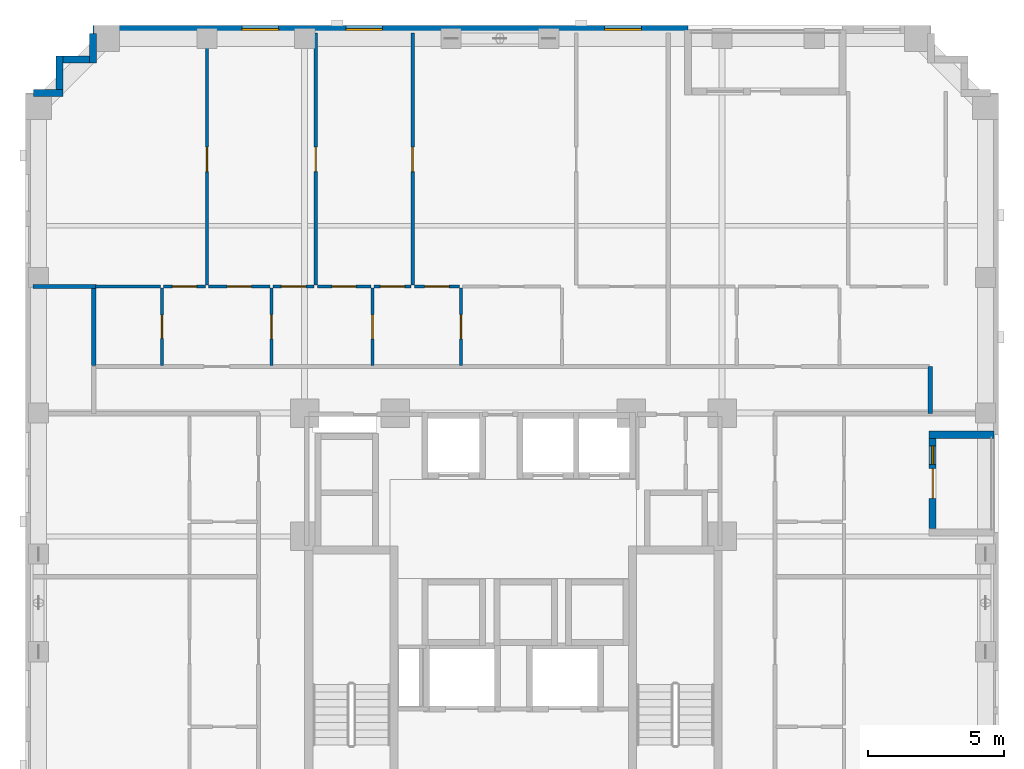
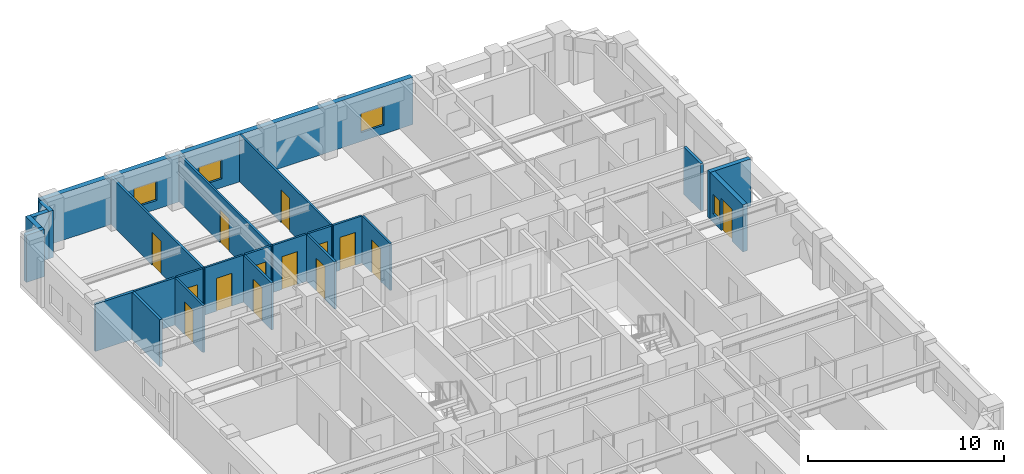
# One storey, part 7 of 12: 24 walls, 14 doors, 4 windows, 18 openings.
"""IFC4 building model written with IfcOpenShell, lengths in metres."""

from ifc_helpers import new_model, si_unit, derived_unit, direction, frame, frame_2d, origin, place, context, subcontext, project, spatial, rectangle, extrude, material, layer, layer_set, type_object, element, fill, save


model = new_model("IFC4")

# Units and contexts
model_context = context("Model", 3, precision=1e-05, world=origin(), true_north=direction((0.0, 1.0)))
body_context = subcontext(model_context, "Body", "Model", "MODEL_VIEW")
ifc_project = project(units=[si_unit("LENGTHUNIT", "METRE"), si_unit("AREAUNIT", "SQUARE_METRE"), si_unit("VOLUMEUNIT", "CUBIC_METRE"), si_unit("PLANEANGLEUNIT", "RADIAN"), si_unit("MASSUNIT", "GRAM", prefix="KILO"), derived_unit("THERMALTRANSMITTANCEUNIT", [(si_unit("MASSUNIT", "GRAM", prefix="KILO"), 1), (si_unit("TIMEUNIT", "SECOND"), -3), (si_unit("THERMODYNAMICTEMPERATUREUNIT", "KELVIN"), -1)])], contexts=[model_context])

# Site, building, storey
site_placement = place(None, origin())
site = spatial("IfcSite", under=ifc_project, at=site_placement, CompositionType="ELEMENT")
building_placement = place(site_placement, origin())
building = spatial("IfcBuilding", under=site, at=building_placement, Name="Korrvale Station Residences", CompositionType="ELEMENT")
storey_placement = place(building_placement, frame((0.0, 0.0, 113.5)))
storey = spatial("IfcBuildingStorey", under=building, at=storey_placement, Name="L32", CompositionType="ELEMENT", Elevation=113.5)

# Wall
ifc_material_1 = material(Name="Precast concrete C45/55", Category="concrete")
ifc_layer_1 = layer(ifc_material_1, 0.260009765625, Name="Precast concrete C45/55")
ifc_layer_set_1 = layer_set([ifc_layer_1], Name="Precast concrete C45/55")
wall_type_1 = type_object("IfcWallType", Name="WAL-EXT-LOG260", PredefinedType="SOLIDWALL", material=ifc_layer_set_1)
wall_1_placement = place(storey_placement, frame((43.239990234375, 28.199951171875, 0.0), z_axis=(0.0, 0.0, 1.0), x_axis=(-1.0, 0.0, 0.0)))
element("IfcWall", 1, at=wall_1_placement, inside=storey, type_object=wall_type_1, Name="L32 Recessed Loggia Wall BAL-L32-E1-L", PredefinedType="SOLIDWALL", context=body_context, shape_type="SweptSolid", body=[
    extrude(rectangle(XDim=2.39990234375, YDim=0.260009765625, at=frame_2d((1.199951171875, 0.0))), origin(), (0.0, 0.0, 1.0), 2.93994140625),
])

# Wall, openings, door, window
wall_2_placement = place(storey_placement, frame((40.969970703125, 28.06591796875, 0.0), z_axis=(0.0, 0.0, 1.0), x_axis=(0.0, -1.0, 0.0)))
wall_2 = element("IfcWall", 2, at=wall_2_placement, inside=storey, type_object=wall_type_1, Name="L32 Recessed Loggia Wall BAL-L32-E1-B", PredefinedType="SOLIDWALL", context=body_context, shape_type="SweptSolid", body=[
    extrude(rectangle(XDim=3.33203125, YDim=0.260009765625, at=frame_2d((1.666015625, 0.0))), origin(), (0.0, 0.0, 1.0), 2.93994140625),
])
opening_1_placement = place(wall_2_placement, frame((1.115966796875, 0.0, 0.0)))
opening_1 = element("IfcOpeningElement", 3, at=opening_1_placement, cuts=wall_2, Name="Opening BD-01", PredefinedType="OPENING", context=body_context, shape_type="SweptSolid", body=[
    extrude(rectangle(XDim=1.10009765625, YDim=2.0, at=frame_2d((0.550048828125, 1.0))), frame((0.0, 0.14013671875, 0.0), z_axis=(0.0, -1.0, 0.0), x_axis=(1.0, 0.0, 0.0)), (0.0, 0.0, 1.0), 0.280029296875),
])
opening_2_placement = place(wall_2_placement, frame((0.27587890625, 0.0, 0.550048828125)))
opening_2 = element("IfcOpeningElement", 4, at=opening_2_placement, cuts=wall_2, Name="Opening W-12", PredefinedType="OPENING", context=body_context, shape_type="SweptSolid", body=[
    extrude(rectangle(XDim=0.679931640625, YDim=1.199951171875, at=frame_2d((0.33984375, 0.60009765625))), frame((0.0, 0.14013671875, 0.0), z_axis=(0.0, -1.0, 0.0), x_axis=(1.0, 0.0, 0.0)), (0.0, 0.0, 1.0), 0.280029296875),
])
ifc_material_2 = material(Name="Exterior thermally broken aluminium glazed balcony door", Category="aluminium")
door_type_1 = type_object("IfcDoorType", Name="DR-EXT-BAL", OperationType="NOTDEFINED", PredefinedType="DOOR", material=ifc_material_2)
door_1_placement = place(opening_1_placement, origin())
door_1 = element("IfcDoor", 5, at=door_1_placement, inside=storey, type_object=door_type_1, Name="L32 Loggia Balcony Door BAL-L32-E1", OperationType="SINGLE_SWING_LEFT", OverallHeight=2.0, OverallWidth=1.10009765625, PredefinedType="DOOR", context=body_context, shape_type="SweptSolid", body=[
    extrude(rectangle(XDim=1.10009765625, YDim=2.0, at=frame_2d((0.550048828125, 1.0))), frame((0.0, 0.02490234375, 0.0), z_axis=(0.0, -1.0, 0.0), x_axis=(1.0, 0.0, 0.0)), (0.0, 0.0, 1.0), 0.050048828125),
])
fill(opening_1, door_1)
ifc_material_3 = material(Name="Thermally broken aluminium frame with triple low-e glazing", Category="aluminium")
window_type_1 = type_object("IfcWindowType", Name="WIN-W12", PartitioningType="SINGLE_PANEL", PredefinedType="WINDOW", material=ifc_material_3)
window_1_placement = place(opening_2_placement, origin())
window_1 = element("IfcWindow", 6, at=window_1_placement, inside=storey, type_object=window_type_1, Name="L32 Punched Window 25", OverallHeight=1.199951171875, OverallWidth=0.679931640625, PartitioningType="SINGLE_PANEL", PredefinedType="WINDOW", context=body_context, shape_type="SweptSolid", body=[
    extrude(rectangle(XDim=0.679931640625, YDim=1.199951171875, at=frame_2d((0.33984375, 0.60009765625))), frame((0.0, 0.030029296875, 0.0), z_axis=(0.0, -1.0, 0.0), x_axis=(1.0, 0.0, 0.0)), (0.0, 0.0, 1.0), 0.06005859375),
])
fill(opening_2, window_1)

# Walls
wall_3_placement = place(storey_placement, frame((7.802001953125, 40.800048828125, 0.0), z_axis=(0.0, 0.0, 1.0), x_axis=(1.0, 0.0, 0.0)))
element("IfcWall", 7, at=wall_3_placement, inside=storey, type_object=wall_type_1, Name="L32 Serrated Corner Precast Step NW-1", PredefinedType="SOLIDWALL", context=body_context, shape_type="SweptSolid", body=[
    extrude(rectangle(XDim=1.077880859375, YDim=0.260009765625, at=frame_2d((0.5390625, 0.0))), origin(), (0.0, 0.0, 1.0), 2.93994140625),
])
wall_4_placement = place(storey_placement, frame((8.75, 40.931884765625, 0.0), z_axis=(0.0, 0.0, 1.0), x_axis=(0.0, 1.0, 0.0)))
element("IfcWall", 8, at=wall_4_placement, inside=storey, type_object=wall_type_1, Name="L32 Serrated Corner Precast Step NW-2", PredefinedType="SOLIDWALL", context=body_context, shape_type="SweptSolid", body=[
    extrude(rectangle(XDim=1.248046875, YDim=0.260009765625, at=frame_2d((0.6240234375, 0.0))), origin(), (0.0, 0.0, 1.0), 2.93994140625),
])
wall_5_placement = place(storey_placement, frame((8.882080078125, 42.050048828125, 0.0), z_axis=(0.0, 0.0, 1.0), x_axis=(1.0, 0.0, 0.0)))
element("IfcWall", 9, at=wall_5_placement, inside=storey, type_object=wall_type_1, Name="L32 Serrated Corner Precast Step NW-3", PredefinedType="SOLIDWALL", context=body_context, shape_type="SweptSolid", body=[
    extrude(rectangle(XDim=0.98583984375, YDim=0.260009765625, at=frame_2d((0.492919921875, 0.0))), origin(), (0.0, 0.0, 1.0), 2.93994140625),
])
wall_6_placement = place(storey_placement, frame((10.0, 41.919921875, 0.0), z_axis=(0.0, 0.0, 1.0), x_axis=(0.0, 1.0, 0.0)))
element("IfcWall", 10, at=wall_6_placement, inside=storey, type_object=wall_type_1, Name="L32 Serrated Corner Precast Step NW-4", PredefinedType="SOLIDWALL", context=body_context, shape_type="SweptSolid", body=[
    extrude(rectangle(XDim=1.078125, YDim=0.260009765625, at=frame_2d((0.5390625, 0.0))), origin(), (0.0, 0.0, 1.0), 2.93994140625),
])

# Wall, openings, windows
ifc_layer_2 = layer(ifc_material_1, 0.300048828125, Name="Precast concrete C45/55")
ifc_layer_set_2 = layer_set([ifc_layer_2], Name="Precast concrete C45/55")
wall_type_2 = type_object("IfcWallType", Name="WAL-EXT-PC300", PredefinedType="SOLIDWALL", material=ifc_layer_set_2)
wall_7_placement = place(storey_placement, frame((10.0, 43.14990234375, 0.0), z_axis=(0.0, 0.0, 1.0), x_axis=(1.0, 0.0, 0.0)))
wall_7 = element("IfcWall", 11, at=wall_7_placement, inside=storey, type_object=wall_type_2, Name="L32 North Exterior Precast Wall 1", PredefinedType="SOLIDWALL", context=body_context, shape_type="SweptSolid", body=[
    extrude(rectangle(XDim=21.949951171875, YDim=0.300048828125, at=frame_2d((10.97509765625, 0.0))), origin(), (0.0, 0.0, 1.0), 2.93994140625),
])
opening_3_placement = place(wall_7_placement, frame((5.489013671875, 0.0, 0.550048828125)))
opening_3 = element("IfcOpeningElement", 12, at=opening_3_placement, cuts=wall_7, Name="Opening W-10", PredefinedType="OPENING", context=body_context, shape_type="SweptSolid", body=[
    extrude(rectangle(XDim=1.35009765625, YDim=1.199951171875, at=frame_2d((0.675048828125, 0.60009765625))), frame((0.0, 0.16015625, 0.0), z_axis=(0.0, -1.0, 0.0), x_axis=(1.0, 0.0, 0.0)), (0.0, 0.0, 1.0), 0.320068359375),
])
opening_4_placement = place(wall_7_placement, frame((9.322021484375, 0.0, 0.550048828125)))
opening_4 = element("IfcOpeningElement", 13, at=opening_4_placement, cuts=wall_7, Name="Opening W-10", PredefinedType="OPENING", context=body_context, shape_type="SweptSolid", body=[
    extrude(rectangle(XDim=1.35009765625, YDim=1.199951171875, at=frame_2d((0.675048828125, 0.60009765625))), frame((0.0, 0.16015625, 0.0), z_axis=(0.0, -1.0, 0.0), x_axis=(1.0, 0.0, 0.0)), (0.0, 0.0, 1.0), 0.320068359375),
])
opening_5_placement = place(wall_7_placement, frame((18.868896484375, 0.0, 0.550048828125)))
opening_5 = element("IfcOpeningElement", 14, at=opening_5_placement, cuts=wall_7, Name="Opening W-10", PredefinedType="OPENING", context=body_context, shape_type="SweptSolid", body=[
    extrude(rectangle(XDim=1.35009765625, YDim=1.199951171875, at=frame_2d((0.675048828125, 0.60009765625))), frame((0.0, 0.16015625, 0.0), z_axis=(0.0, -1.0, 0.0), x_axis=(1.0, 0.0, 0.0)), (0.0, 0.0, 1.0), 0.320068359375),
])
window_type_2 = type_object("IfcWindowType", Name="WIN-W10", PartitioningType="SINGLE_PANEL", PredefinedType="WINDOW", material=ifc_material_3)
window_2_placement = place(opening_3_placement, origin())
window_2 = element("IfcWindow", 15, at=window_2_placement, inside=storey, type_object=window_type_2, Name="L32 Punched Window 14", OverallHeight=1.199951171875, OverallWidth=1.35009765625, PartitioningType="SINGLE_PANEL", PredefinedType="WINDOW", context=body_context, shape_type="SweptSolid", body=[
    extrude(rectangle(XDim=1.35009765625, YDim=1.199951171875, at=frame_2d((0.675048828125, 0.60009765625))), frame((0.0, 0.030029296875, 0.0), z_axis=(0.0, -1.0, 0.0), x_axis=(1.0, 0.0, 0.0)), (0.0, 0.0, 1.0), 0.06005859375),
])
fill(opening_3, window_2)
window_3_placement = place(opening_4_placement, origin())
window_3 = element("IfcWindow", 16, at=window_3_placement, inside=storey, type_object=window_type_2, Name="L32 Punched Window 15", OverallHeight=1.199951171875, OverallWidth=1.35009765625, PartitioningType="SINGLE_PANEL", PredefinedType="WINDOW", context=body_context, shape_type="SweptSolid", body=[
    extrude(rectangle(XDim=1.35009765625, YDim=1.199951171875, at=frame_2d((0.675048828125, 0.60009765625))), frame((0.0, 0.030029296875, 0.0), z_axis=(0.0, -1.0, 0.0), x_axis=(1.0, 0.0, 0.0)), (0.0, 0.0, 1.0), 0.06005859375),
])
fill(opening_4, window_3)
window_4_placement = place(opening_5_placement, origin())
window_4 = element("IfcWindow", 17, at=window_4_placement, inside=storey, type_object=window_type_2, Name="L32 Punched Window 16", OverallHeight=1.199951171875, OverallWidth=1.35009765625, PartitioningType="SINGLE_PANEL", PredefinedType="WINDOW", context=body_context, shape_type="SweptSolid", body=[
    extrude(rectangle(XDim=1.35009765625, YDim=1.199951171875, at=frame_2d((0.675048828125, 0.60009765625))), frame((0.0, 0.030029296875, 0.0), z_axis=(0.0, -1.0, 0.0), x_axis=(1.0, 0.0, 0.0)), (0.0, 0.0, 1.0), 0.06005859375),
])
fill(opening_5, window_4)

# Wall, opening, door
ifc_material_4 = material(Name="Acoustic steel-stud gypsum board partition", Category="steel")
ifc_layer_3 = layer(ifc_material_4, 0.1201171875, Name="Acoustic steel-stud gypsum board partition")
ifc_layer_set_3 = layer_set([ifc_layer_3], Name="Acoustic steel-stud gypsum board partition")
wall_type_3 = type_object("IfcWallType", Name="WAL-PART-125", PredefinedType="PARTITIONING", material=ifc_layer_set_3)
wall_8_placement = place(storey_placement, frame((12.5400390625, 30.760009765625, 0.0), z_axis=(0.0, 0.0, 1.0), x_axis=(0.0, 1.0, 0.0)))
wall_8 = element("IfcWall", 18, at=wall_8_placement, inside=storey, type_object=wall_type_3, Name="L32 Suite Partition U03-V01", PredefinedType="PARTITIONING", context=body_context, shape_type="SweptSolid", body=[
    extrude(rectangle(XDim=2.85009765625, YDim=0.1201171875, at=frame_2d((1.425048828125, 0.0))), origin(), (0.0, 0.0, 1.0), 2.93994140625),
])
opening_6_placement = place(wall_8_placement, frame((0.9951171875, 0.0, 0.0)))
opening_6 = element("IfcOpeningElement", 19, at=opening_6_placement, cuts=wall_8, Name="Opening DB-860", PredefinedType="OPENING", context=body_context, shape_type="SweptSolid", body=[
    extrude(rectangle(XDim=0.860107421875, YDim=2.050048828125, at=frame_2d((0.43017578125, 1.02490234375))), frame((0.0, 0.070068359375, 0.0), z_axis=(0.0, -1.0, 0.0), x_axis=(1.0, 0.0, 0.0)), (0.0, 0.0, 1.0), 0.14013671875),
])
ifc_material_5 = material(Name="Moisture-resistant solid-core bathroom door", Category="timber")
door_type_2 = type_object("IfcDoorType", Name="DR-BATH-860", OperationType="NOTDEFINED", PredefinedType="DOOR", material=ifc_material_5)
door_2_placement = place(opening_6_placement, origin())
door_2 = element("IfcDoor", 20, at=door_2_placement, inside=storey, type_object=door_type_2, Name="L32 Apartment 1BR L32-U03 Bathroom Door", OperationType="SINGLE_SWING_LEFT", OverallHeight=2.050048828125, OverallWidth=0.860107421875, PredefinedType="DOOR", context=body_context, shape_type="SweptSolid", body=[
    extrude(rectangle(XDim=0.860107421875, YDim=2.050048828125, at=frame_2d((0.43017578125, 1.02490234375))), frame((0.0, 0.02490234375, 0.0), z_axis=(0.0, -1.0, 0.0), x_axis=(1.0, 0.0, 0.0)), (0.0, 0.0, 1.0), 0.050048828125),
])
fill(opening_6, door_2)

# Wall
wall_9_placement = place(storey_placement, frame((10.080078125, 33.669921875, 0.0), z_axis=(0.0, 0.0, 1.0), x_axis=(1.0, 0.0, 0.0)))
element("IfcWall", 21, at=wall_9_placement, inside=storey, type_object=wall_type_3, Name="L32 Suite Partition U03-H06", PredefinedType="PARTITIONING", context=body_context, shape_type="SweptSolid", body=[
    extrude(rectangle(XDim=2.39990234375, YDim=0.1201171875, at=frame_2d((1.199951171875, 0.0))), origin(), (0.0, 0.0, 1.0), 2.93994140625),
])

# Wall, opening, door
wall_10_placement = place(storey_placement, frame((16.580078125, 30.760009765625, 0.0), z_axis=(0.0, 0.0, 1.0), x_axis=(0.0, 1.0, 0.0)))
wall_10 = element("IfcWall", 22, at=wall_10_placement, inside=storey, type_object=wall_type_3, Name="L32 Suite Partition U03-V12", PredefinedType="PARTITIONING", context=body_context, shape_type="SweptSolid", body=[
    extrude(rectangle(XDim=2.85009765625, YDim=0.1201171875, at=frame_2d((1.425048828125, 0.0))), origin(), (0.0, 0.0, 1.0), 2.93994140625),
])
opening_7_placement = place(wall_10_placement, frame((0.97509765625, 0.0, 0.0)))
opening_7 = element("IfcOpeningElement", 23, at=opening_7_placement, cuts=wall_10, Name="Opening DI-900", PredefinedType="OPENING", context=body_context, shape_type="SweptSolid", body=[
    extrude(rectangle(XDim=0.89990234375, YDim=2.050048828125, at=frame_2d((0.449951171875, 1.02490234375))), frame((0.0, 0.070068359375, 0.0), z_axis=(0.0, -1.0, 0.0), x_axis=(1.0, 0.0, 0.0)), (0.0, 0.0, 1.0), 0.14013671875),
])
ifc_material_6 = material(Name="Painted solid-core timber interior room door", Category="wood")
door_type_3 = type_object("IfcDoorType", Name="DR-INT-900", OperationType="NOTDEFINED", PredefinedType="DOOR", material=ifc_material_6)
door_3_placement = place(opening_7_placement, origin())
door_3 = element("IfcDoor", 24, at=door_3_placement, inside=storey, type_object=door_type_3, Name="L32 Apartment 1BR L32-U03 Kitchen Door", OperationType="SINGLE_SWING_RIGHT", OverallHeight=2.050048828125, OverallWidth=0.89990234375, PredefinedType="DOOR", context=body_context, shape_type="SweptSolid", body=[
    extrude(rectangle(XDim=0.89990234375, YDim=2.050048828125, at=frame_2d((0.449951171875, 1.02490234375))), frame((0.0, 0.02490234375, 0.0), z_axis=(0.0, -1.0, 0.0), x_axis=(1.0, 0.0, 0.0)), (0.0, 0.0, 1.0), 0.050048828125),
])
fill(opening_7, door_3)

wall_11_placement = place(storey_placement, frame((12.60009765625, 33.669921875, 0.0), z_axis=(0.0, 0.0, 1.0), x_axis=(1.0, 0.0, 0.0)))
wall_11 = element("IfcWall", 25, at=wall_11_placement, inside=storey, type_object=wall_type_3, Name="L32 Suite Partition U03-H16", PredefinedType="PARTITIONING", context=body_context, shape_type="SweptSolid", body=[
    extrude(rectangle(XDim=1.539794921875, YDim=0.1201171875, at=frame_2d((0.77001953125, 0.0))), origin(), (0.0, 0.0, 1.0), 2.93994140625),
])
opening_8_placement = place(wall_11_placement, frame((0.320068359375, 0.0, 0.0)))
opening_8 = element("IfcOpeningElement", 26, at=opening_8_placement, cuts=wall_11, Name="Opening DI-900", PredefinedType="OPENING", context=body_context, shape_type="SweptSolid", body=[
    extrude(rectangle(XDim=0.89990234375, YDim=2.050048828125, at=frame_2d((0.449951171875, 1.02490234375))), frame((0.0, 0.070068359375, 0.0), z_axis=(0.0, -1.0, 0.0), x_axis=(1.0, 0.0, 0.0)), (0.0, 0.0, 1.0), 0.14013671875),
])
door_4_placement = place(opening_8_placement, origin())
door_4 = element("IfcDoor", 27, at=door_4_placement, inside=storey, type_object=door_type_3, Name="L32 Apartment 1BR L32-U03 Kitchen Door", OperationType="SINGLE_SWING_LEFT", OverallHeight=2.050048828125, OverallWidth=0.89990234375, PredefinedType="DOOR", context=body_context, shape_type="SweptSolid", body=[
    extrude(rectangle(XDim=0.89990234375, YDim=2.050048828125, at=frame_2d((0.449951171875, 1.02490234375))), frame((0.0, 0.02490234375, 0.0), z_axis=(0.0, -1.0, 0.0), x_axis=(1.0, 0.0, 0.0)), (0.0, 0.0, 1.0), 0.050048828125),
])
fill(opening_8, door_4)

wall_12_placement = place(storey_placement, frame((14.260009765625, 33.669921875, 0.0), z_axis=(0.0, 0.0, 1.0), x_axis=(1.0, 0.0, 0.0)))
wall_12 = element("IfcWall", 28, at=wall_12_placement, inside=storey, type_object=wall_type_3, Name="L32 Suite Partition U03-H17", PredefinedType="PARTITIONING", context=body_context, shape_type="SweptSolid", body=[
    extrude(rectangle(XDim=2.260009765625, YDim=0.1201171875, at=frame_2d((1.1298828125, 0.0))), origin(), (0.0, 0.0, 1.0), 2.93994140625),
])
opening_9_placement = place(wall_12_placement, frame((0.679931640625, 0.0, 0.0)))
opening_9 = element("IfcOpeningElement", 29, at=opening_9_placement, cuts=wall_12, Name="Opening DI-900", PredefinedType="OPENING", context=body_context, shape_type="SweptSolid", body=[
    extrude(rectangle(XDim=0.89990234375, YDim=2.050048828125, at=frame_2d((0.449951171875, 1.02490234375))), frame((0.0, 0.070068359375, 0.0), z_axis=(0.0, -1.0, 0.0), x_axis=(1.0, 0.0, 0.0)), (0.0, 0.0, 1.0), 0.14013671875),
])
door_5_placement = place(opening_9_placement, origin())
door_5 = element("IfcDoor", 30, at=door_5_placement, inside=storey, type_object=door_type_3, Name="L32 Apartment 1BR L32-U03 Kitchen Door", OperationType="SINGLE_SWING_RIGHT", OverallHeight=2.050048828125, OverallWidth=0.89990234375, PredefinedType="DOOR", context=body_context, shape_type="SweptSolid", body=[
    extrude(rectangle(XDim=0.89990234375, YDim=2.050048828125, at=frame_2d((0.449951171875, 1.02490234375))), frame((0.0, 0.02490234375, 0.0), z_axis=(0.0, -1.0, 0.0), x_axis=(1.0, 0.0, 0.0)), (0.0, 0.0, 1.0), 0.050048828125),
])
fill(opening_9, door_5)

wall_13_placement = place(storey_placement, frame((20.300048828125, 30.760009765625, 0.0), z_axis=(0.0, 0.0, 1.0), x_axis=(0.0, 1.0, 0.0)))
wall_13 = element("IfcWall", 31, at=wall_13_placement, inside=storey, type_object=wall_type_3, Name="L32 Suite Partition U03-V23", PredefinedType="PARTITIONING", context=body_context, shape_type="SweptSolid", body=[
    extrude(rectangle(XDim=2.85009765625, YDim=0.1201171875, at=frame_2d((1.425048828125, 0.0))), origin(), (0.0, 0.0, 1.0), 2.93994140625),
])
opening_10_placement = place(wall_13_placement, frame((0.97509765625, 0.0, 0.0)))
opening_10 = element("IfcOpeningElement", 32, at=opening_10_placement, cuts=wall_13, Name="Opening DI-900", PredefinedType="OPENING", context=body_context, shape_type="SweptSolid", body=[
    extrude(rectangle(XDim=0.89990234375, YDim=2.050048828125, at=frame_2d((0.449951171875, 1.02490234375))), frame((0.0, 0.070068359375, 0.0), z_axis=(0.0, -1.0, 0.0), x_axis=(1.0, 0.0, 0.0)), (0.0, 0.0, 1.0), 0.14013671875),
])
door_6_placement = place(opening_10_placement, origin())
door_6 = element("IfcDoor", 33, at=door_6_placement, inside=storey, type_object=door_type_3, Name="L32 Apartment 1BR L32-U03 Utility and Laundry Room Door", OperationType="SINGLE_SWING_LEFT", OverallHeight=2.050048828125, OverallWidth=0.89990234375, PredefinedType="DOOR", context=body_context, shape_type="SweptSolid", body=[
    extrude(rectangle(XDim=0.89990234375, YDim=2.050048828125, at=frame_2d((0.449951171875, 1.02490234375))), frame((0.0, 0.02490234375, 0.0), z_axis=(0.0, -1.0, 0.0), x_axis=(1.0, 0.0, 0.0)), (0.0, 0.0, 1.0), 0.050048828125),
])
fill(opening_10, door_6)

wall_14_placement = place(storey_placement, frame((16.639892578125, 33.669921875, 0.0), z_axis=(0.0, 0.0, 1.0), x_axis=(1.0, 0.0, 0.0)))
wall_14 = element("IfcWall", 34, at=wall_14_placement, inside=storey, type_object=wall_type_3, Name="L32 Suite Partition U03-H27", PredefinedType="PARTITIONING", context=body_context, shape_type="SweptSolid", body=[
    extrude(rectangle(XDim=1.508056640625, YDim=0.1201171875, at=frame_2d((0.75390625, 0.0))), origin(), (0.0, 0.0, 1.0), 2.93994140625),
])
opening_11_placement = place(wall_14_placement, frame((0.303955078125, 0.0, 0.0)))
opening_11 = element("IfcOpeningElement", 35, at=opening_11_placement, cuts=wall_14, Name="Opening DI-900", PredefinedType="OPENING", context=body_context, shape_type="SweptSolid", body=[
    extrude(rectangle(XDim=0.89990234375, YDim=2.050048828125, at=frame_2d((0.449951171875, 1.02490234375))), frame((0.0, 0.070068359375, 0.0), z_axis=(0.0, -1.0, 0.0), x_axis=(1.0, 0.0, 0.0)), (0.0, 0.0, 1.0), 0.14013671875),
])
door_7_placement = place(opening_11_placement, origin())
door_7 = element("IfcDoor", 36, at=door_7_placement, inside=storey, type_object=door_type_3, Name="L32 Apartment 1BR L32-U03 Utility and Laundry Room Door", OperationType="SINGLE_SWING_RIGHT", OverallHeight=2.050048828125, OverallWidth=0.89990234375, PredefinedType="DOOR", context=body_context, shape_type="SweptSolid", body=[
    extrude(rectangle(XDim=0.89990234375, YDim=2.050048828125, at=frame_2d((0.449951171875, 1.02490234375))), frame((0.0, 0.02490234375, 0.0), z_axis=(0.0, -1.0, 0.0), x_axis=(1.0, 0.0, 0.0)), (0.0, 0.0, 1.0), 0.050048828125),
])
fill(opening_11, door_7)

wall_15_placement = place(storey_placement, frame((18.26806640625, 33.669921875, 0.0), z_axis=(0.0, 0.0, 1.0), x_axis=(1.0, 0.0, 0.0)))
wall_15 = element("IfcWall", 37, at=wall_15_placement, inside=storey, type_object=wall_type_3, Name="L32 Suite Partition U03-H28", PredefinedType="PARTITIONING", context=body_context, shape_type="SweptSolid", body=[
    extrude(rectangle(XDim=1.971923828125, YDim=0.1201171875, at=frame_2d((0.98583984375, 0.0))), origin(), (0.0, 0.0, 1.0), 2.93994140625),
])
opening_12_placement = place(wall_15_placement, frame((0.535888671875, 0.0, 0.0)))
opening_12 = element("IfcOpeningElement", 38, at=opening_12_placement, cuts=wall_15, Name="Opening DI-900", PredefinedType="OPENING", context=body_context, shape_type="SweptSolid", body=[
    extrude(rectangle(XDim=0.89990234375, YDim=2.050048828125, at=frame_2d((0.449951171875, 1.02490234375))), frame((0.0, 0.070068359375, 0.0), z_axis=(0.0, -1.0, 0.0), x_axis=(1.0, 0.0, 0.0)), (0.0, 0.0, 1.0), 0.14013671875),
])
door_8_placement = place(opening_12_placement, origin())
door_8 = element("IfcDoor", 39, at=door_8_placement, inside=storey, type_object=door_type_3, Name="L32 Apartment 1BR L32-U03 Utility and Laundry Room Door", OperationType="SINGLE_SWING_LEFT", OverallHeight=2.050048828125, OverallWidth=0.89990234375, PredefinedType="DOOR", context=body_context, shape_type="SweptSolid", body=[
    extrude(rectangle(XDim=0.89990234375, YDim=2.050048828125, at=frame_2d((0.449951171875, 1.02490234375))), frame((0.0, 0.02490234375, 0.0), z_axis=(0.0, -1.0, 0.0), x_axis=(1.0, 0.0, 0.0)), (0.0, 0.0, 1.0), 0.050048828125),
])
fill(opening_12, door_8)

wall_16_placement = place(storey_placement, frame((23.570068359375, 30.760009765625, 0.0), z_axis=(0.0, 0.0, 1.0), x_axis=(0.0, 1.0, 0.0)))
wall_16 = element("IfcWall", 40, at=wall_16_placement, inside=storey, type_object=wall_type_3, Name="L32 Suite Partition U03-V34", PredefinedType="PARTITIONING", context=body_context, shape_type="SweptSolid", body=[
    extrude(rectangle(XDim=2.85009765625, YDim=0.1201171875, at=frame_2d((1.425048828125, 0.0))), origin(), (0.0, 0.0, 1.0), 2.93994140625),
])
opening_13_placement = place(wall_16_placement, frame((0.97509765625, 0.0, 0.0)))
opening_13 = element("IfcOpeningElement", 41, at=opening_13_placement, cuts=wall_16, Name="Opening DI-900", PredefinedType="OPENING", context=body_context, shape_type="SweptSolid", body=[
    extrude(rectangle(XDim=0.89990234375, YDim=2.050048828125, at=frame_2d((0.449951171875, 1.02490234375))), frame((0.0, 0.070068359375, 0.0), z_axis=(0.0, -1.0, 0.0), x_axis=(1.0, 0.0, 0.0)), (0.0, 0.0, 1.0), 0.14013671875),
])
door_9_placement = place(opening_13_placement, origin())
door_9 = element("IfcDoor", 42, at=door_9_placement, inside=storey, type_object=door_type_3, Name="L32 Apartment 1BR L32-U03 Storage Closet 2 Door", OperationType="SINGLE_SWING_RIGHT", OverallHeight=2.050048828125, OverallWidth=0.89990234375, PredefinedType="DOOR", context=body_context, shape_type="SweptSolid", body=[
    extrude(rectangle(XDim=0.89990234375, YDim=2.050048828125, at=frame_2d((0.449951171875, 1.02490234375))), frame((0.0, 0.02490234375, 0.0), z_axis=(0.0, -1.0, 0.0), x_axis=(1.0, 0.0, 0.0)), (0.0, 0.0, 1.0), 0.050048828125),
])
fill(opening_13, door_9)

wall_17_placement = place(storey_placement, frame((20.360107421875, 33.669921875, 0.0), z_axis=(0.0, 0.0, 1.0), x_axis=(1.0, 0.0, 0.0)))
wall_17 = element("IfcWall", 43, at=wall_17_placement, inside=storey, type_object=wall_type_3, Name="L32 Suite Partition U03-H38", PredefinedType="PARTITIONING", context=body_context, shape_type="SweptSolid", body=[
    extrude(rectangle(XDim=1.364013671875, YDim=0.1201171875, at=frame_2d((0.68212890625, 0.0))), origin(), (0.0, 0.0, 1.0), 2.93994140625),
])
opening_14_placement = place(wall_17_placement, frame((0.23193359375, 0.0, 0.0)))
opening_14 = element("IfcOpeningElement", 44, at=opening_14_placement, cuts=wall_17, Name="Opening DI-900", PredefinedType="OPENING", context=body_context, shape_type="SweptSolid", body=[
    extrude(rectangle(XDim=0.89990234375, YDim=2.050048828125, at=frame_2d((0.449951171875, 1.02490234375))), frame((0.0, 0.070068359375, 0.0), z_axis=(0.0, -1.0, 0.0), x_axis=(1.0, 0.0, 0.0)), (0.0, 0.0, 1.0), 0.14013671875),
])
door_10_placement = place(opening_14_placement, origin())
door_10 = element("IfcDoor", 45, at=door_10_placement, inside=storey, type_object=door_type_3, Name="L32 Apartment 1BR L32-U03 Storage Closet 2 Door", OperationType="SINGLE_SWING_LEFT", OverallHeight=2.050048828125, OverallWidth=0.89990234375, PredefinedType="DOOR", context=body_context, shape_type="SweptSolid", body=[
    extrude(rectangle(XDim=0.89990234375, YDim=2.050048828125, at=frame_2d((0.449951171875, 1.02490234375))), frame((0.0, 0.02490234375, 0.0), z_axis=(0.0, -1.0, 0.0), x_axis=(1.0, 0.0, 0.0)), (0.0, 0.0, 1.0), 0.050048828125),
])
fill(opening_14, door_10)

wall_18_placement = place(storey_placement, frame((21.843994140625, 33.669921875, 0.0), z_axis=(0.0, 0.0, 1.0), x_axis=(1.0, 0.0, 0.0)))
wall_18 = element("IfcWall", 46, at=wall_18_placement, inside=storey, type_object=wall_type_3, Name="L32 Suite Partition U03-H39", PredefinedType="PARTITIONING", context=body_context, shape_type="SweptSolid", body=[
    extrude(rectangle(XDim=1.666015625, YDim=0.1201171875, at=frame_2d((0.8330078125, 0.0))), origin(), (0.0, 0.0, 1.0), 2.93994140625),
])
opening_15_placement = place(wall_18_placement, frame((0.383056640625, 0.0, 0.0)))
opening_15 = element("IfcOpeningElement", 47, at=opening_15_placement, cuts=wall_18, Name="Opening DI-900", PredefinedType="OPENING", context=body_context, shape_type="SweptSolid", body=[
    extrude(rectangle(XDim=0.89990234375, YDim=2.050048828125, at=frame_2d((0.449951171875, 1.02490234375))), frame((0.0, 0.070068359375, 0.0), z_axis=(0.0, -1.0, 0.0), x_axis=(1.0, 0.0, 0.0)), (0.0, 0.0, 1.0), 0.14013671875),
])
door_11_placement = place(opening_15_placement, origin())
door_11 = element("IfcDoor", 48, at=door_11_placement, inside=storey, type_object=door_type_3, Name="L32 Apartment 1BR L32-U03 Storage Closet 2 Door", OperationType="SINGLE_SWING_RIGHT", OverallHeight=2.050048828125, OverallWidth=0.89990234375, PredefinedType="DOOR", context=body_context, shape_type="SweptSolid", body=[
    extrude(rectangle(XDim=0.89990234375, YDim=2.050048828125, at=frame_2d((0.449951171875, 1.02490234375))), frame((0.0, 0.02490234375, 0.0), z_axis=(0.0, -1.0, 0.0), x_axis=(1.0, 0.0, 0.0)), (0.0, 0.0, 1.0), 0.050048828125),
])
fill(opening_15, door_11)

wall_19_placement = place(storey_placement, frame((14.199951171875, 33.72998046875, 0.0), z_axis=(0.0, 0.0, 1.0), x_axis=(0.0, 1.0, 0.0)))
wall_19 = element("IfcWall", 49, at=wall_19_placement, inside=storey, type_object=wall_type_3, Name="L32 Suite Partition U03-V67", PredefinedType="PARTITIONING", context=body_context, shape_type="SweptSolid", body=[
    extrude(rectangle(XDim=9.2900390625, YDim=0.1201171875, at=frame_2d((4.64501953125, 0.0))), origin(), (0.0, 0.0, 1.0), 2.93994140625),
])
opening_16_placement = place(wall_19_placement, frame((4.179931640625, 0.0, 0.0)))
opening_16 = element("IfcOpeningElement", 50, at=opening_16_placement, cuts=wall_19, Name="Opening DI-900", PredefinedType="OPENING", context=body_context, shape_type="SweptSolid", body=[
    extrude(rectangle(XDim=0.89990234375, YDim=2.050048828125, at=frame_2d((0.449951171875, 1.02490234375))), frame((0.0, 0.070068359375, 0.0), z_axis=(0.0, -1.0, 0.0), x_axis=(1.0, 0.0, 0.0)), (0.0, 0.0, 1.0), 0.14013671875),
])
door_12_placement = place(opening_16_placement, origin())
door_12 = element("IfcDoor", 51, at=door_12_placement, inside=storey, type_object=door_type_3, Name="L32 Apartment 1BR L32-U03 Living and Dining Room Door", OperationType="SINGLE_SWING_RIGHT", OverallHeight=2.050048828125, OverallWidth=0.89990234375, PredefinedType="DOOR", context=body_context, shape_type="SweptSolid", body=[
    extrude(rectangle(XDim=0.89990234375, YDim=2.050048828125, at=frame_2d((0.449951171875, 1.02490234375))), frame((0.0, 0.02490234375, 0.0), z_axis=(0.0, -1.0, 0.0), x_axis=(1.0, 0.0, 0.0)), (0.0, 0.0, 1.0), 0.050048828125),
])
fill(opening_16, door_12)

wall_20_placement = place(storey_placement, frame((18.2080078125, 33.72998046875, 0.0), z_axis=(0.0, 0.0, 1.0), x_axis=(0.0, 1.0, 0.0)))
wall_20 = element("IfcWall", 52, at=wall_20_placement, inside=storey, type_object=wall_type_3, Name="L32 Suite Partition U03-V78", PredefinedType="PARTITIONING", context=body_context, shape_type="SweptSolid", body=[
    extrude(rectangle(XDim=9.2900390625, YDim=0.1201171875, at=frame_2d((4.64501953125, 0.0))), origin(), (0.0, 0.0, 1.0), 2.93994140625),
])
opening_17_placement = place(wall_20_placement, frame((4.179931640625, 0.0, 0.0)))
opening_17 = element("IfcOpeningElement", 53, at=opening_17_placement, cuts=wall_20, Name="Opening DI-900", PredefinedType="OPENING", context=body_context, shape_type="SweptSolid", body=[
    extrude(rectangle(XDim=0.89990234375, YDim=2.050048828125, at=frame_2d((0.449951171875, 1.02490234375))), frame((0.0, 0.070068359375, 0.0), z_axis=(0.0, -1.0, 0.0), x_axis=(1.0, 0.0, 0.0)), (0.0, 0.0, 1.0), 0.14013671875),
])
door_13_placement = place(opening_17_placement, origin())
door_13 = element("IfcDoor", 54, at=door_13_placement, inside=storey, type_object=door_type_3, Name="L32 Apartment 1BR L32-U03 Formal Dining Room Door", OperationType="SINGLE_SWING_LEFT", OverallHeight=2.050048828125, OverallWidth=0.89990234375, PredefinedType="DOOR", context=body_context, shape_type="SweptSolid", body=[
    extrude(rectangle(XDim=0.89990234375, YDim=2.050048828125, at=frame_2d((0.449951171875, 1.02490234375))), frame((0.0, 0.02490234375, 0.0), z_axis=(0.0, -1.0, 0.0), x_axis=(1.0, 0.0, 0.0)), (0.0, 0.0, 1.0), 0.050048828125),
])
fill(opening_17, door_13)

wall_21_placement = place(storey_placement, frame((21.783935546875, 33.72998046875, 0.0), z_axis=(0.0, 0.0, 1.0), x_axis=(0.0, 1.0, 0.0)))
wall_21 = element("IfcWall", 55, at=wall_21_placement, inside=storey, type_object=wall_type_3, Name="L32 Suite Partition U03-V89", PredefinedType="PARTITIONING", context=body_context, shape_type="SweptSolid", body=[
    extrude(rectangle(XDim=9.2900390625, YDim=0.1201171875, at=frame_2d((4.64501953125, 0.0))), origin(), (0.0, 0.0, 1.0), 2.93994140625),
])
opening_18_placement = place(wall_21_placement, frame((4.179931640625, 0.0, 0.0)))
opening_18 = element("IfcOpeningElement", 56, at=opening_18_placement, cuts=wall_21, Name="Opening DI-900", PredefinedType="OPENING", context=body_context, shape_type="SweptSolid", body=[
    extrude(rectangle(XDim=0.89990234375, YDim=2.050048828125, at=frame_2d((0.449951171875, 1.02490234375))), frame((0.0, 0.070068359375, 0.0), z_axis=(0.0, -1.0, 0.0), x_axis=(1.0, 0.0, 0.0)), (0.0, 0.0, 1.0), 0.14013671875),
])
door_14_placement = place(opening_18_placement, origin())
door_14 = element("IfcDoor", 57, at=door_14_placement, inside=storey, type_object=door_type_3, Name="L32 Apartment 1BR L32-U03 Home Study Room Door", OperationType="SINGLE_SWING_RIGHT", OverallHeight=2.050048828125, OverallWidth=0.89990234375, PredefinedType="DOOR", context=body_context, shape_type="SweptSolid", body=[
    extrude(rectangle(XDim=0.89990234375, YDim=2.050048828125, at=frame_2d((0.449951171875, 1.02490234375))), frame((0.0, 0.02490234375, 0.0), z_axis=(0.0, -1.0, 0.0), x_axis=(1.0, 0.0, 0.0)), (0.0, 0.0, 1.0), 0.050048828125),
])
fill(opening_18, door_14)

# Walls
ifc_material_7 = material(Name="Fire-rated twin-stud gypsum and mineral wool shaftwall assembly", Category="gypsum")
ifc_layer_4 = layer(ifc_material_7, 0.159912109375, Name="Fire-rated twin-stud gypsum and mineral wool shaftwall assembly")
ifc_layer_set_4 = layer_set([ifc_layer_4], Name="Fire-rated twin-stud gypsum and mineral wool shaftwall assembly")
wall_type_4 = type_object("IfcWallType", Name="WAL-PART-200", PredefinedType="PARTITIONING", material=ifc_layer_set_4)
wall_22_placement = place(storey_placement, frame((40.8798828125, 28.97998046875, 0.0), z_axis=(0.0, 0.0, 1.0), x_axis=(0.0, 1.0, 0.0)))
element("IfcWall", 58, at=wall_22_placement, inside=storey, type_object=wall_type_4, Name="L32 Corridor North East Cap", PredefinedType="PARTITIONING", context=body_context, shape_type="SweptSolid", body=[
    extrude(rectangle(XDim=1.739990234375, YDim=0.159912109375, at=frame_2d((0.8701171875, 0.0))), origin(), (0.0, 0.0, 1.0), 2.93994140625),
])
wall_23_placement = place(storey_placement, frame((7.780029296875, 33.669921875, 0.0), z_axis=(0.0, 0.0, 1.0), x_axis=(1.0, 0.0, 0.0)))
element("IfcWall", 59, at=wall_23_placement, inside=storey, type_object=wall_type_4, Name="L32 Corner Step Wall U03-L", PredefinedType="PARTITIONING", context=body_context, shape_type="SweptSolid", body=[
    extrude(rectangle(XDim=2.340087890625, YDim=0.159912109375, at=frame_2d((1.169921875, 0.0))), origin(), (0.0, 0.0, 1.0), 2.93994140625),
])
wall_24_placement = place(storey_placement, frame((10.02001953125, 30.760009765625, 0.0), z_axis=(0.0, 0.0, 1.0), x_axis=(0.0, 1.0, 0.0)))
element("IfcWall", 60, at=wall_24_placement, inside=storey, type_object=wall_type_4, Name="L32 Corner Step Cheek U03-L", PredefinedType="PARTITIONING", context=body_context, shape_type="SweptSolid", body=[
    extrude(rectangle(XDim=2.909912109375, YDim=0.159912109375, at=frame_2d((1.455078125, 0.0))), origin(), (0.0, 0.0, 1.0), 2.93994140625),
])

save(model, "model.ifc")
